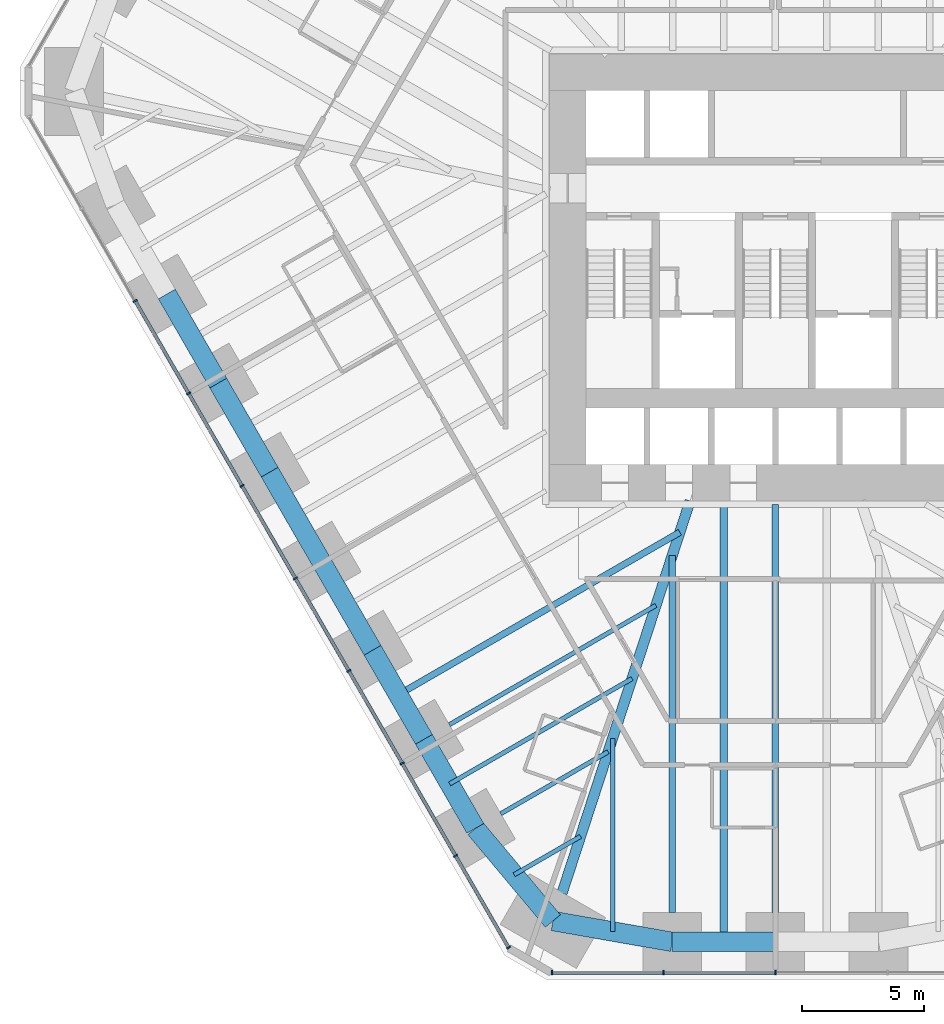
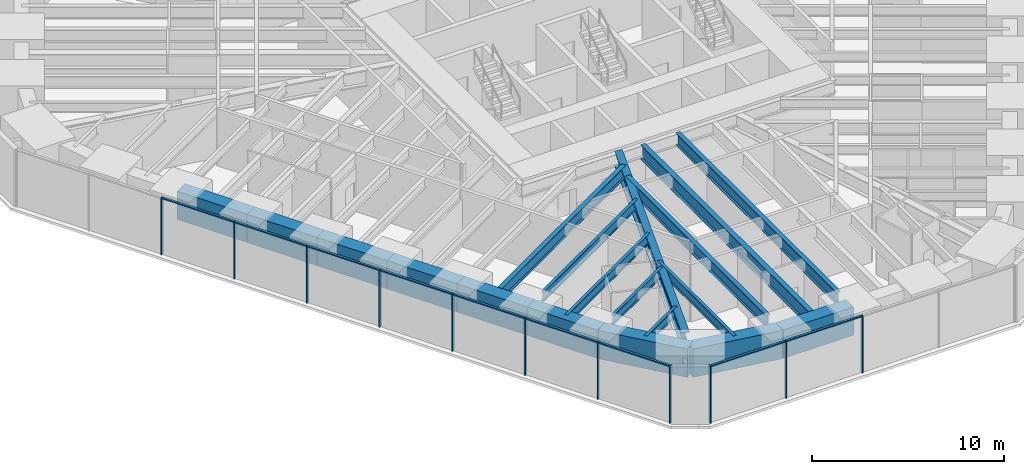
# One storey, part 2 of 17: 20 members, 19 beams, 2 elements without a shape of their own.
"""IFC4 building model written with IfcOpenShell, lengths in metres."""

from ifc_helpers import new_model, si_unit, direction, frame, origin, origin_2d, place, context, subcontext, project, spatial, rectangle, i_section, extrude, material, material_profile, profile_set, type_object, element, aggregate, save


model = new_model("IFC4")

# Units and contexts
model_context = context("Model", 3, precision=1e-05, world=origin(), true_north=direction((0.0, 1.0)))
body_context = subcontext(model_context, "Body", "Model", "MODEL_VIEW")
ifc_project = project(units=[si_unit("LENGTHUNIT", "METRE"), si_unit("AREAUNIT", "SQUARE_METRE"), si_unit("VOLUMEUNIT", "CUBIC_METRE"), si_unit("PLANEANGLEUNIT", "RADIAN"), si_unit("MASSUNIT", "GRAM", prefix="KILO")], contexts=[model_context])

# Site, building, storey
site_placement = place(None, origin())
site = spatial("IfcSite", under=ifc_project, at=site_placement, CompositionType="ELEMENT")
building_placement = place(site_placement, origin())
building = spatial("IfcBuilding", under=site, at=building_placement, Name="Sandreach Pilgrim Tower", CompositionType="ELEMENT")
storey_placement = place(building_placement, frame((0.0, 0.0, 38.199951171875)))
storey = spatial("IfcBuildingStorey", under=building, at=storey_placement, Name="L08", CompositionType="ELEMENT", Elevation=38.199951171875)

# Curtain wall, members
ifc_material_1 = material(Name="Aluminium framed curtain wall", Category="aluminium")
curtain_wall_type = type_object("IfcCurtainWallType", Name="Hostel tower curtain wall", PredefinedType="NOTDEFINED", material=ifc_material_1)
curtain_wall_1_placement = place(storey_placement, origin())
curtain_wall_1 = element("IfcCurtainWall", 1, at=curtain_wall_1_placement, inside=storey, type_object=curtain_wall_type, Name="CW-1 L08 S", PredefinedType="NOTDEFINED")
ifc_material_2 = material(Name="Aluminium extrusion", Category="aluminium")
ifc_material_profile_1 = material_profile(ifc_material_2, rectangle(XDim=0.06494140625, YDim=0.179931640625, at=origin_2d()), Name="CW-1M 65X180")
ifc_profile_set_1 = profile_set([ifc_material_profile_1], Name="Aluminium extrusion")
member_type_1 = type_object("IfcMemberType", Name="CW-1 mullion", PredefinedType="MULLION", material=ifc_profile_set_1)
member_1_placement = place(storey_placement, frame((0.0, -30.010986328125, 0.0), z_axis=(0.0, 0.0, 1.0), x_axis=(-1.0, 0.0, 0.0)))
member_1 = element("IfcMember", 2, at=member_1_placement, type_object=member_type_1, Name="CW-1 mullion 3", PredefinedType="MULLION", context=body_context, shape_type="SweptSolid", body=[
    extrude(rectangle(XDim=0.06494140625, YDim=0.179931640625, at=origin_2d()), origin(), (0.0, 0.0, 1.0), 3.64013671875),
])
member_2_placement = place(storey_placement, frame((-4.5859375, -30.010986328125, 0.0), z_axis=(0.0, 0.0, 1.0), x_axis=(-1.0, 0.0, 0.0)))
member_2 = element("IfcMember", 3, at=member_2_placement, type_object=member_type_1, Name="CW-1 mullion 4", PredefinedType="MULLION", context=body_context, shape_type="SweptSolid", body=[
    extrude(rectangle(XDim=0.06494140625, YDim=0.179931640625, at=origin_2d()), origin(), (0.0, 0.0, 1.0), 3.64013671875),
])
member_3_placement = place(storey_placement, frame((-9.1396484375, -30.010986328125, 0.0), z_axis=(0.0, 0.0, 1.0), x_axis=(-1.0, 0.0, 0.0)))
member_3 = element("IfcMember", 4, at=member_3_placement, type_object=member_type_1, Name="CW-1 mullion 5", PredefinedType="MULLION", context=body_context, shape_type="SweptSolid", body=[
    extrude(rectangle(XDim=0.06494140625, YDim=0.179931640625, at=origin_2d()), origin(), (0.0, 0.0, 1.0), 3.64013671875),
])

curtain_wall_2_placement = place(storey_placement, origin())
curtain_wall_2 = element("IfcCurtainWall", 5, at=curtain_wall_2_placement, inside=storey, type_object=curtain_wall_type, Name="CW-1 L08 SW", PredefinedType="NOTDEFINED")
member_4_placement = place(storey_placement, frame((-10.92041015625, -28.982666015625, 0.0), z_axis=(0.0, 0.0, 1.0), x_axis=(-0.5, 0.866025403784, 0.0)))
member_4 = element("IfcMember", 6, at=member_4_placement, type_object=member_type_1, Name="CW-1 mullion 1", PredefinedType="MULLION", context=body_context, shape_type="SweptSolid", body=[
    extrude(rectangle(XDim=0.06494140625, YDim=0.179931640625, at=origin_2d()), origin(), (0.0, 0.0, 1.0), 3.64013671875),
])
member_5_placement = place(storey_placement, frame((-13.08984375, -25.22509765625, 0.0), z_axis=(0.0, 0.0, 1.0), x_axis=(-0.5, 0.866025403784, 0.0)))
member_5 = element("IfcMember", 7, at=member_5_placement, type_object=member_type_1, Name="CW-1 mullion 2", PredefinedType="MULLION", context=body_context, shape_type="SweptSolid", body=[
    extrude(rectangle(XDim=0.06494140625, YDim=0.179931640625, at=origin_2d()), origin(), (0.0, 0.0, 1.0), 3.64013671875),
])
member_6_placement = place(storey_placement, frame((-15.275634765625, -21.439208984375, 0.0), z_axis=(0.0, 0.0, 1.0), x_axis=(-0.5, 0.866025403784, 0.0)))
member_6 = element("IfcMember", 8, at=member_6_placement, type_object=member_type_1, Name="CW-1 mullion 3", PredefinedType="MULLION", context=body_context, shape_type="SweptSolid", body=[
    extrude(rectangle(XDim=0.06494140625, YDim=0.179931640625, at=origin_2d()), origin(), (0.0, 0.0, 1.0), 3.64013671875),
])
member_7_placement = place(storey_placement, frame((-17.46142578125, -17.6533203125, 0.0), z_axis=(0.0, 0.0, 1.0), x_axis=(-0.5, 0.866025403784, 0.0)))
member_7 = element("IfcMember", 9, at=member_7_placement, type_object=member_type_1, Name="CW-1 mullion 4", PredefinedType="MULLION", context=body_context, shape_type="SweptSolid", body=[
    extrude(rectangle(XDim=0.06494140625, YDim=0.179931640625, at=origin_2d()), origin(), (0.0, 0.0, 1.0), 3.64013671875),
])
member_8_placement = place(storey_placement, frame((-19.647216796875, -13.8671875, 0.0), z_axis=(0.0, 0.0, 1.0), x_axis=(-0.5, 0.866025403784, 0.0)))
member_8 = element("IfcMember", 10, at=member_8_placement, type_object=member_type_1, Name="CW-1 mullion 5", PredefinedType="MULLION", context=body_context, shape_type="SweptSolid", body=[
    extrude(rectangle(XDim=0.06494140625, YDim=0.179931640625, at=origin_2d()), origin(), (0.0, 0.0, 1.0), 3.64013671875),
])
member_9_placement = place(storey_placement, frame((-21.8330078125, -10.081298828125, 0.0), z_axis=(0.0, 0.0, 1.0), x_axis=(-0.5, 0.866025403784, 0.0)))
member_9 = element("IfcMember", 11, at=member_9_placement, type_object=member_type_1, Name="CW-1 mullion 6", PredefinedType="MULLION", context=body_context, shape_type="SweptSolid", body=[
    extrude(rectangle(XDim=0.06494140625, YDim=0.179931640625, at=origin_2d()), origin(), (0.0, 0.0, 1.0), 3.64013671875),
])
member_10_placement = place(storey_placement, frame((-24.018798828125, -6.29541015625, 0.0), z_axis=(0.0, 0.0, 1.0), x_axis=(-0.5, 0.866025403784, 0.0)))
member_10 = element("IfcMember", 12, at=member_10_placement, type_object=member_type_1, Name="CW-1 mullion 7", PredefinedType="MULLION", context=body_context, shape_type="SweptSolid", body=[
    extrude(rectangle(XDim=0.06494140625, YDim=0.179931640625, at=origin_2d()), origin(), (0.0, 0.0, 1.0), 3.64013671875),
])
member_11_placement = place(storey_placement, frame((-26.20458984375, -2.509521484375, 0.0), z_axis=(0.0, 0.0, 1.0), x_axis=(-0.5, 0.866025403784, 0.0)))
member_11 = element("IfcMember", 13, at=member_11_placement, type_object=member_type_1, Name="CW-1 mullion 8", PredefinedType="MULLION", context=body_context, shape_type="SweptSolid", body=[
    extrude(rectangle(XDim=0.06494140625, YDim=0.179931640625, at=origin_2d()), origin(), (0.0, 0.0, 1.0), 3.64013671875),
])

# Member
ifc_material_3 = material(Name="Aluminium extrusion", Category="aluminium")
ifc_material_profile_2 = material_profile(ifc_material_3, rectangle(XDim=0.139892578125, YDim=0.070068359375, at=origin_2d()), Name="CW-1T 140X70")
ifc_profile_set_2 = profile_set([ifc_material_profile_2], Name="Aluminium extrusion")
member_type_2 = type_object("IfcMemberType", Name="CW-1 transom", PredefinedType="USERDEFINED", material=ifc_profile_set_2)
member_12_placement = place(storey_placement, frame((-0.032470703125, -30.010986328125, 3.60498046875), z_axis=(-1.0, 0.0, 0.0), x_axis=(0.0, -1.0, 0.0)))
member_12 = element("IfcMember", 14, at=member_12_placement, type_object=member_type_2, Name="CW-1 head transom 3", ObjectType="TRANSOM", PredefinedType="USERDEFINED", context=body_context, shape_type="SweptSolid", body=[
    extrude(rectangle(XDim=0.139892578125, YDim=0.070068359375, at=origin_2d()), origin(), (0.0, 0.0, 1.0), 4.52099609375),
])

member_13_placement = place(storey_placement, frame((-4.61865234375, -30.010986328125, 3.60498046875), z_axis=(-1.0, 0.0, 0.0), x_axis=(0.0, -1.0, 0.0)))
member_13 = element("IfcMember", 15, at=member_13_placement, type_object=member_type_2, Name="CW-1 head transom 4", ObjectType="TRANSOM", PredefinedType="USERDEFINED", context=body_context, shape_type="SweptSolid", body=[
    extrude(rectangle(XDim=0.139892578125, YDim=0.070068359375, at=origin_2d()), origin(), (0.0, 0.0, 1.0), 4.488525390625),
])

aggregate(curtain_wall_1, [member_1, member_2, member_3, member_12, member_13])

member_14_placement = place(storey_placement, frame((-10.9365234375, -28.95458984375, 3.60498046875), z_axis=(-0.500033953635, 0.866005799756, 0.0), x_axis=(-0.866005799756, -0.500033953635, 0.0)))
member_14 = element("IfcMember", 16, at=member_14_placement, type_object=member_type_2, Name="CW-1 head transom 1", ObjectType="TRANSOM", PredefinedType="USERDEFINED", context=body_context, shape_type="SweptSolid", body=[
    extrude(rectangle(XDim=0.139892578125, YDim=0.070068359375, at=origin_2d()), origin(), (0.0, 0.0, 1.0), 4.274169921875),
])

member_15_placement = place(storey_placement, frame((-13.106201171875, -25.19677734375, 3.60498046875), z_axis=(-0.500016891966, 0.866015650984, 0.0), x_axis=(-0.866015650984, -0.500016891966, 0.0)))
member_15 = element("IfcMember", 17, at=member_15_placement, type_object=member_type_2, Name="CW-1 head transom 2", ObjectType="TRANSOM", PredefinedType="USERDEFINED", context=body_context, shape_type="SweptSolid", body=[
    extrude(rectangle(XDim=0.139892578125, YDim=0.070068359375, at=origin_2d()), origin(), (0.0, 0.0, 1.0), 4.306396484375),
])

member_16_placement = place(storey_placement, frame((-15.2919921875, -21.410888671875, 3.60498046875), z_axis=(-0.500016891966, 0.866015650984, 0.0), x_axis=(-0.866015650984, -0.500016891966, 0.0)))
member_16 = element("IfcMember", 18, at=member_16_placement, type_object=member_type_2, Name="CW-1 head transom 3", ObjectType="TRANSOM", PredefinedType="USERDEFINED", context=body_context, shape_type="SweptSolid", body=[
    extrude(rectangle(XDim=0.139892578125, YDim=0.070068359375, at=origin_2d()), origin(), (0.0, 0.0, 1.0), 4.306396484375),
])

member_17_placement = place(storey_placement, frame((-17.477783203125, -17.625, 3.60498046875), z_axis=(-0.500016891966, 0.866015650984, 0.0), x_axis=(-0.866015650984, -0.500016891966, 0.0)))
member_17 = element("IfcMember", 19, at=member_17_placement, type_object=member_type_2, Name="CW-1 head transom 4", ObjectType="TRANSOM", PredefinedType="USERDEFINED", context=body_context, shape_type="SweptSolid", body=[
    extrude(rectangle(XDim=0.139892578125, YDim=0.070068359375, at=origin_2d()), origin(), (0.0, 0.0, 1.0), 4.306396484375),
])

member_18_placement = place(storey_placement, frame((-19.66357421875, -13.839111328125, 3.60498046875), z_axis=(-0.500016891966, 0.866015650984, 0.0), x_axis=(-0.866015650984, -0.500016891966, 0.0)))
member_18 = element("IfcMember", 20, at=member_18_placement, type_object=member_type_2, Name="CW-1 head transom 5", ObjectType="TRANSOM", PredefinedType="USERDEFINED", context=body_context, shape_type="SweptSolid", body=[
    extrude(rectangle(XDim=0.139892578125, YDim=0.070068359375, at=origin_2d()), origin(), (0.0, 0.0, 1.0), 4.306396484375),
])

member_19_placement = place(storey_placement, frame((-21.849365234375, -10.05322265625, 3.60498046875), z_axis=(-0.500016891966, 0.866015650984, 0.0), x_axis=(-0.866015650984, -0.500016891966, 0.0)))
member_19 = element("IfcMember", 21, at=member_19_placement, type_object=member_type_2, Name="CW-1 head transom 6", ObjectType="TRANSOM", PredefinedType="USERDEFINED", context=body_context, shape_type="SweptSolid", body=[
    extrude(rectangle(XDim=0.139892578125, YDim=0.070068359375, at=origin_2d()), origin(), (0.0, 0.0, 1.0), 4.306396484375),
])

member_20_placement = place(storey_placement, frame((-24.03515625, -6.267333984375, 3.60498046875), z_axis=(-0.500016891966, 0.866015650984, 0.0), x_axis=(-0.866015650984, -0.500016891966, 0.0)))
member_20 = element("IfcMember", 22, at=member_20_placement, type_object=member_type_2, Name="CW-1 head transom 7", ObjectType="TRANSOM", PredefinedType="USERDEFINED", context=body_context, shape_type="SweptSolid", body=[
    extrude(rectangle(XDim=0.139892578125, YDim=0.070068359375, at=origin_2d()), origin(), (0.0, 0.0, 1.0), 4.306396484375),
])

aggregate(curtain_wall_2, [member_4, member_5, member_6, member_7, member_8, member_9, member_10, member_11, member_14, member_15, member_16, member_17, member_18, member_19, member_20])

# Beams
ifc_material_4 = material(Name="Steel ASTM A992 Grade 50", Category="steel")
ifc_material_profile_3 = material_profile(ifc_material_4, i_section(OverallWidth=0.424072265625, OverallDepth=0.965087890625, WebThickness=0.028564453125, FlangeThickness=0.051025390625, at=origin_2d()), Name="W36X361")
ifc_profile_set_3 = profile_set([ifc_material_profile_3], Name="Steel ASTM A992 Grade 50")
beam_type_1 = type_object("IfcBeamType", Name="Corner girder W36X361", PredefinedType="BEAM", material=ifc_profile_set_3)
beam_1_placement = place(storey_placement, frame((-8.73388671875, -26.756103515625, 3.157470703125), z_axis=(0.310315410754, 0.950633654911, 0.0), x_axis=(-0.950633654911, 0.310315410754, 0.0)))
element("IfcBeam", 23, at=beam_1_placement, inside=storey, type_object=beam_type_1, Name="BM L08 CG26", PredefinedType="BEAM", context=body_context, shape_type="SweptSolid", body=[
    extrude(i_section(OverallWidth=0.424072265625, OverallDepth=0.965087890625, WebThickness=0.028564453125, FlangeThickness=0.051025390625, at=origin_2d()), origin(), (0.0, 0.0, 1.0), 16.889892578125),
])
ifc_material_5 = material(Name="Steel ASTM A992 Grade 50", Category="steel")
ifc_material_profile_4 = material_profile(ifc_material_5, i_section(OverallWidth=0.1787109375, OverallDepth=0.60205078125, WebThickness=0.010986328125, FlangeThickness=0.014892578125, at=origin_2d()), Name="W24X62")
ifc_profile_set_4 = profile_set([ifc_material_profile_4], Name="Steel ASTM A992 Grade 50")
beam_type_2 = type_object("IfcBeamType", Name="Floor beam W24X62", PredefinedType="BEAM", material=ifc_profile_set_4)
beam_2_placement = place(storey_placement, frame((-11.242431640625, -23.5048828125, 3.339111328125), z_axis=(0.866027897259, 0.49999568115, 0.0), x_axis=(-0.49999568115, 0.866027897259, 0.0)))
element("IfcBeam", 24, at=beam_2_placement, inside=storey, type_object=beam_type_2, Name="BM L08 F27", PredefinedType="BEAM", context=body_context, shape_type="SweptSolid", body=[
    extrude(i_section(OverallWidth=0.1787109375, OverallDepth=0.60205078125, WebThickness=0.010986328125, FlangeThickness=0.014892578125, at=origin_2d()), origin(), (0.0, 0.0, 1.0), 5.0791015625),
])
beam_3_placement = place(storey_placement, frame((-13.347412109375, -19.859130859375, 3.339111328125), z_axis=(0.866025751498, 0.499999397742, 0.0), x_axis=(-0.499999397742, 0.866025751498, 0.0)))
element("IfcBeam", 25, at=beam_3_placement, inside=storey, type_object=beam_type_2, Name="BM L08 F28", PredefinedType="BEAM", context=body_context, shape_type="SweptSolid", body=[
    extrude(i_section(OverallWidth=0.1787109375, OverallDepth=0.60205078125, WebThickness=0.010986328125, FlangeThickness=0.014892578125, at=origin_2d()), origin(), (0.0, 0.0, 1.0), 9.767578125),
])
beam_4_placement = place(storey_placement, frame((-6.664306640625, -28.323974609375, 3.339111328125), z_axis=(0.0, 1.0, 0.0), x_axis=(-1.0, 0.0, 0.0)))
element("IfcBeam", 26, at=beam_4_placement, inside=storey, type_object=beam_type_2, Name="BM L08 FM25", PredefinedType="BEAM", context=body_context, shape_type="SweptSolid", body=[
    extrude(i_section(OverallWidth=0.1787109375, OverallDepth=0.60205078125, WebThickness=0.010986328125, FlangeThickness=0.014892578125, at=origin_2d()), origin(), (0.0, 0.0, 1.0), 7.907958984375),
])
beam_5_placement = place(storey_placement, frame((-10.694091796875, -26.0009765625, 3.339111328125), z_axis=(0.866023718453, 0.500002919068, 0.0), x_axis=(-0.500002919068, 0.866023718453, 0.0)))
element("IfcBeam", 27, at=beam_5_placement, inside=storey, type_object=beam_type_2, Name="BM L08 FM26", PredefinedType="BEAM", context=body_context, shape_type="SweptSolid", body=[
    extrude(i_section(OverallWidth=0.1787109375, OverallDepth=0.60205078125, WebThickness=0.010986328125, FlangeThickness=0.014892578125, at=origin_2d()), origin(), (0.0, 0.0, 1.0), 3.1396484375),
])
beam_6_placement = place(storey_placement, frame((-13.334228515625, -22.281982421875, 3.339111328125), z_axis=(0.86602717807, 0.499996926835, 0.0), x_axis=(-0.499996926835, 0.86602717807, 0.0)))
element("IfcBeam", 28, at=beam_6_placement, inside=storey, type_object=beam_type_2, Name="BM L08 FM27", PredefinedType="BEAM", context=body_context, shape_type="SweptSolid", body=[
    extrude(i_section(OverallWidth=0.1787109375, OverallDepth=0.60205078125, WebThickness=0.010986328125, FlangeThickness=0.014892578125, at=origin_2d()), origin(), (0.0, 0.0, 1.0), 8.62353515625),
])
ifc_material_6 = material(Name="Steel ASTM A992 Grade 50", Category="steel")
ifc_material_profile_5 = material_profile(ifc_material_6, i_section(OverallWidth=0.2666015625, OverallDepth=0.761962890625, WebThickness=0.014404296875, FlangeThickness=0.021484375, at=origin_2d()), Name="W30X116")
ifc_profile_set_5 = profile_set([ifc_material_profile_5], Name="Steel ASTM A992 Grade 50")
beam_type_3 = type_object("IfcBeamType", Name="Floor beam W30X116", PredefinedType="BEAM", material=ifc_profile_set_5)
beam_7_placement = place(storey_placement, frame((-4.222412109375, -27.55078125, 3.259033203125), z_axis=(0.0, 1.0, 0.0), x_axis=(-1.0, 0.0, 0.0)))
element("IfcBeam", 29, at=beam_7_placement, inside=storey, type_object=beam_type_3, Name="BM L08 F25", PredefinedType="BEAM", context=body_context, shape_type="SweptSolid", body=[
    extrude(i_section(OverallWidth=0.2666015625, OverallDepth=0.761962890625, WebThickness=0.014404296875, FlangeThickness=0.021484375, at=origin_2d()), origin(), (0.0, 0.0, 1.0), 14.61572265625),
])
beam_8_placement = place(storey_placement, frame((-15.43896484375, -18.63623046875, 3.259033203125), z_axis=(0.866021271874, 0.50000715661, 0.0), x_axis=(-0.50000715661, 0.866021271874, 0.0)))
element("IfcBeam", 30, at=beam_8_placement, inside=storey, type_object=beam_type_3, Name="BM L08 FM28", PredefinedType="BEAM", context=body_context, shape_type="SweptSolid", body=[
    extrude(i_section(OverallWidth=0.2666015625, OverallDepth=0.761962890625, WebThickness=0.014404296875, FlangeThickness=0.021484375, at=origin_2d()), origin(), (0.0, 0.0, 1.0), 13.311767578125),
])
ifc_material_7 = material(Name="Steel ASTM A992 Grade 50", Category="steel")
ifc_material_profile_6 = material_profile(ifc_material_7, i_section(OverallWidth=0.2666015625, OverallDepth=0.77978515625, WebThickness=0.0166015625, FlangeThickness=0.030029296875, at=origin_2d()), Name="W30X148")
ifc_profile_set_6 = profile_set([ifc_material_profile_6], Name="Steel ASTM A992 Grade 50")
beam_type_4 = type_object("IfcBeamType", Name="Floor beam W30X148", PredefinedType="BEAM", material=ifc_profile_set_6)
beam_9_placement = place(storey_placement, frame((0.0, -27.55078125, 3.250244140625), z_axis=(0.0, 1.0, 0.0), x_axis=(-1.0, 0.0, 0.0)))
element("IfcBeam", 31, at=beam_9_placement, inside=storey, type_object=beam_type_4, Name="BM L08 F24", PredefinedType="BEAM", context=body_context, shape_type="SweptSolid", body=[
    extrude(i_section(OverallWidth=0.2666015625, OverallDepth=0.77978515625, WebThickness=0.0166015625, FlangeThickness=0.030029296875, at=origin_2d()), origin(), (0.0, 0.0, 1.0), 16.70751953125),
])
ifc_material_8 = material(Name="Steel ASTM A992 Grade 50", Category="steel")
ifc_material_profile_7 = material_profile(ifc_material_8, i_section(OverallWidth=0.3046875, OverallDepth=0.914306640625, WebThickness=0.0166015625, FlangeThickness=0.02587890625, at=origin_2d()), Name="W36X160")
ifc_profile_set_7 = profile_set([ifc_material_profile_7], Name="Steel ASTM A992 Grade 50")
beam_type_5 = type_object("IfcBeamType", Name="Floor beam W36X160", PredefinedType="BEAM", material=ifc_profile_set_7)
beam_10_placement = place(storey_placement, frame((-2.111083984375, -28.7509765625, 3.182861328125), z_axis=(0.0, 1.0, 0.0), x_axis=(-1.0, 0.0, 0.0)))
element("IfcBeam", 32, at=beam_10_placement, inside=storey, type_object=beam_type_5, Name="BM L08 FM24", PredefinedType="BEAM", context=body_context, shape_type="SweptSolid", body=[
    extrude(i_section(OverallWidth=0.3046875, OverallDepth=0.914306640625, WebThickness=0.0166015625, FlangeThickness=0.02587890625, at=origin_2d()), origin(), (0.0, 0.0, 1.0), 17.90771484375),
])
ifc_material_9 = material(Name="Concrete 10000 psi", Category="concrete")
ifc_material_profile_8 = material_profile(ifc_material_9, rectangle(XDim=0.800048828125, YDim=1.800048828125, at=origin_2d()), Name="RC800X1800")
ifc_profile_set_8 = profile_set([ifc_material_profile_8], Name="Concrete 10000 psi")
beam_type_6 = type_object("IfcBeamType", Name="Spandrel beam RC800X1800", PredefinedType="SPANDREL", material=ifc_profile_set_8)
beam_11_placement = place(storey_placement, frame((0.0, -28.7509765625, 2.739990234375), z_axis=(-1.0, 0.0, 0.0), x_axis=(0.0, -1.0, 0.0)))
element("IfcBeam", 33, at=beam_11_placement, inside=storey, type_object=beam_type_6, Name="BM L08 SP24", PredefinedType="SPANDREL", context=body_context, shape_type="SweptSolid", body=[
    extrude(rectangle(XDim=0.800048828125, YDim=1.800048828125, at=origin_2d()), origin(), (0.0, 0.0, 1.0), 4.222412109375),
])
beam_12_placement = place(storey_placement, frame((-4.222412109375, -28.7509765625, 2.739990234375), z_axis=(-0.985054495501, 0.17224297052, 0.0), x_axis=(-0.17224297052, -0.985054495501, 0.0)))
element("IfcBeam", 34, at=beam_12_placement, inside=storey, type_object=beam_type_6, Name="BM L08 SP25", PredefinedType="SPANDREL", context=body_context, shape_type="SweptSolid", body=[
    extrude(rectangle(XDim=0.800048828125, YDim=1.800048828125, at=origin_2d()), origin(), (0.0, 0.0, 1.0), 4.958251953125),
])
beam_13_placement = place(storey_placement, frame((-9.1064453125, -27.89697265625, 2.739990234375), z_axis=(-0.642008193922, 0.766697775488, 0.0), x_axis=(-0.766697775488, -0.642008193922, 0.0)))
element("IfcBeam", 35, at=beam_13_placement, inside=storey, type_object=beam_type_6, Name="BM L08 SP26", PredefinedType="SPANDREL", context=body_context, shape_type="SweptSolid", body=[
    extrude(rectangle(XDim=0.800048828125, YDim=1.800048828125, at=origin_2d()), origin(), (0.0, 0.0, 1.0), 4.94580078125),
])
beam_14_placement = place(storey_placement, frame((-12.28173828125, -24.10498046875, 2.739990234375), z_axis=(-0.499993523031, 0.866029143232, 0.0), x_axis=(-0.866029143232, -0.499993523031, 0.0)))
element("IfcBeam", 36, at=beam_14_placement, inside=storey, type_object=beam_type_6, Name="BM L08 SP27", PredefinedType="SPANDREL", context=body_context, shape_type="SweptSolid", body=[
    extrude(rectangle(XDim=0.800048828125, YDim=1.800048828125, at=origin_2d()), origin(), (0.0, 0.0, 1.0), 4.2099609375),
])
beam_15_placement = place(storey_placement, frame((-14.38671875, -20.458984375, 2.739990234375), z_axis=(-0.499975138639, 0.866039757022, 0.0), x_axis=(-0.866039757022, -0.499975138639, 0.0)))
element("IfcBeam", 37, at=beam_15_placement, inside=storey, type_object=beam_type_6, Name="BM L08 SP28", PredefinedType="SPANDREL", context=body_context, shape_type="SweptSolid", body=[
    extrude(rectangle(XDim=0.800048828125, YDim=1.800048828125, at=origin_2d()), origin(), (0.0, 0.0, 1.0), 4.209716796875),
])
beam_16_placement = place(storey_placement, frame((-16.491455078125, -16.813232421875, 2.739990234375), z_axis=(-0.499993523031, 0.866029143232, 0.0), x_axis=(-0.866029143232, -0.499993523031, 0.0)))
element("IfcBeam", 38, at=beam_16_placement, inside=storey, type_object=beam_type_6, Name="BM L08 SP29", PredefinedType="SPANDREL", context=body_context, shape_type="SweptSolid", body=[
    extrude(rectangle(XDim=0.800048828125, YDim=1.800048828125, at=origin_2d()), origin(), (0.0, 0.0, 1.0), 4.2099609375),
])
beam_17_placement = place(storey_placement, frame((-18.596435546875, -13.167236328125, 2.739990234375), z_axis=(-0.50001863446, 0.866014644907, 0.0), x_axis=(-0.866014644907, -0.50001863446, 0.0)))
element("IfcBeam", 39, at=beam_17_placement, inside=storey, type_object=beam_type_6, Name="BM L08 SP30", PredefinedType="SPANDREL", context=body_context, shape_type="SweptSolid", body=[
    extrude(rectangle(XDim=0.800048828125, YDim=1.800048828125, at=origin_2d()), origin(), (0.0, 0.0, 1.0), 4.209716796875),
])
beam_18_placement = place(storey_placement, frame((-20.701416015625, -9.521484375, 2.739990234375), z_axis=(-0.499993523031, 0.866029143232, 0.0), x_axis=(-0.866029143232, -0.499993523031, 0.0)))
element("IfcBeam", 40, at=beam_18_placement, inside=storey, type_object=beam_type_6, Name="BM L08 SP31", PredefinedType="SPANDREL", context=body_context, shape_type="SweptSolid", body=[
    extrude(rectangle(XDim=0.800048828125, YDim=1.800048828125, at=origin_2d()), origin(), (0.0, 0.0, 1.0), 4.2099609375),
])
beam_19_placement = place(storey_placement, frame((-22.806396484375, -5.87548828125, 2.739990234375), z_axis=(-0.50001863446, 0.866014644907, 0.0), x_axis=(-0.866014644907, -0.50001863446, 0.0)))
element("IfcBeam", 41, at=beam_19_placement, inside=storey, type_object=beam_type_6, Name="BM L08 SP32", PredefinedType="SPANDREL", context=body_context, shape_type="SweptSolid", body=[
    extrude(rectangle(XDim=0.800048828125, YDim=1.800048828125, at=origin_2d()), origin(), (0.0, 0.0, 1.0), 4.209716796875),
])

save(model, "model.ifc")
